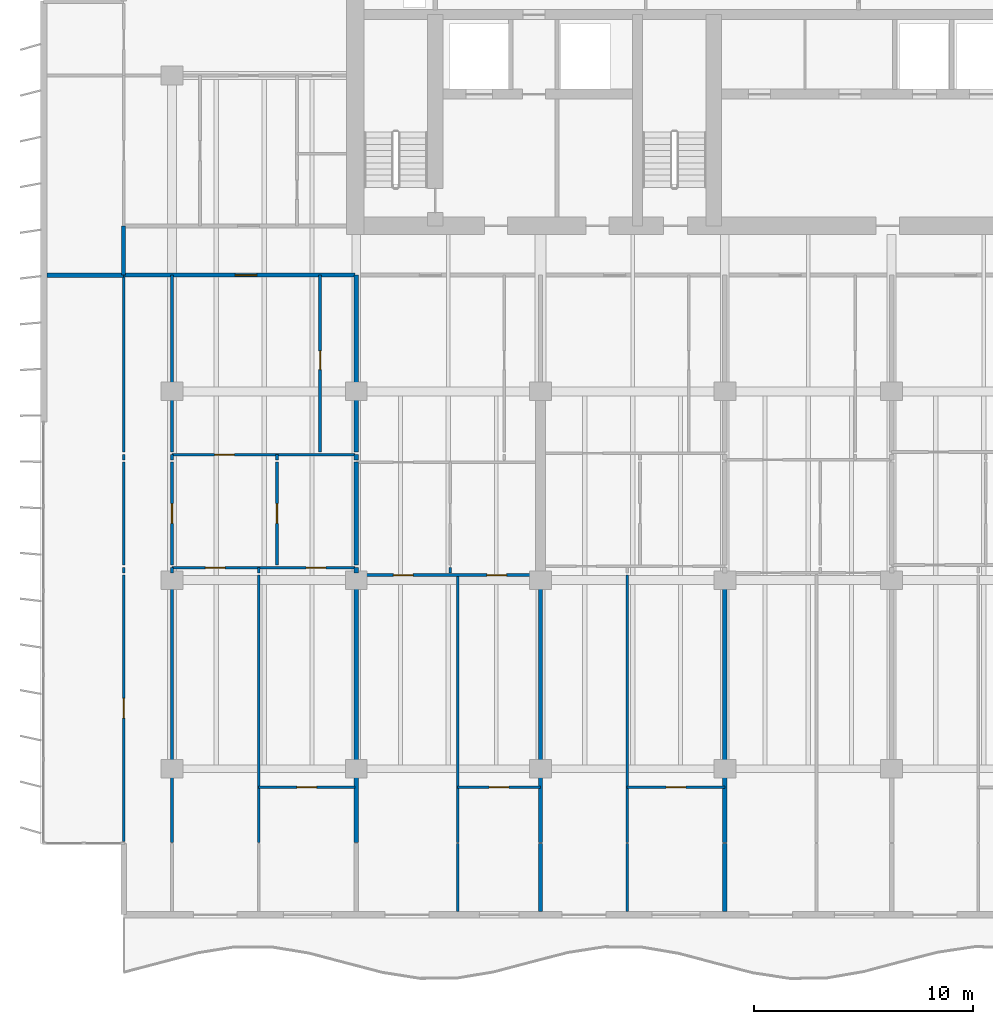
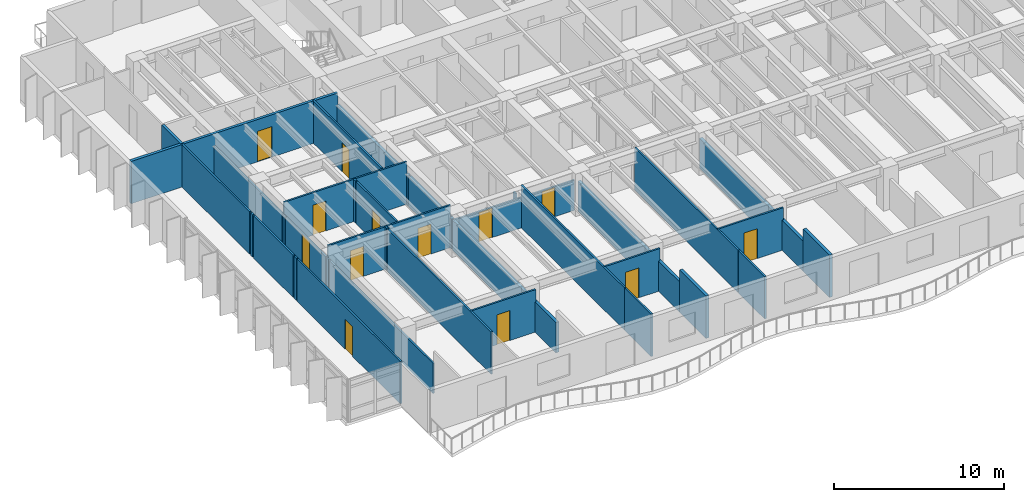
# One storey, part 6 of 18: 38 walls, 13 doors, 13 openings.
"""IFC4 building model written with IfcOpenShell, lengths in metres."""

import ifcopenshell
import ifcopenshell.guid

model = None  # the IFC model being written
_history = None  # IfcOwnerHistory: only IFC2X3 demands one
_inside = {}  # id of a spatial element -> (the spatial element, [elements in it])
_under = {}  # id of a project, library or spatial element -> (it, [spatial elements below it])
_declared = {}  # id of a project -> (the project, [libraries it declares])
_typed = {}  # id of a type object -> (the type object, [elements of that type])
_made_of = {}  # id of a material, layer set ... -> (it, [elements and type objects made of it])


def new_model(schema):
    """Start an empty IFC model of exactly this schema.

    Asked for "IFC4X3", IfcOpenShell would pick the latest addendum, in which some entities
    have other attributes; the version numbers below select the first issue.
    IFC2X3 requires an IfcOwnerHistory on every rooted entity: one is made here for all.
    """
    global model, _history
    if schema == "IFC4X3":
        model = ifcopenshell.file(schema_version=(4, 3, 0, 0))
    else:
        model = ifcopenshell.file(schema=schema)
    _inside.clear()
    _under.clear()
    _declared.clear()
    _typed.clear()
    _made_of.clear()
    _history = None
    if model.schema == "IFC2X3":
        org = make("IfcOrganization", Name="unknown")
        user = make(
            "IfcPersonAndOrganization",
            ThePerson=make("IfcPerson", FamilyName="unknown"),
            TheOrganization=org,
        )
        app = make(
            "IfcApplication",
            ApplicationDeveloper=org,
            Version="unknown",
            ApplicationFullName="unknown",
            ApplicationIdentifier="unknown",
        )
        _history = make(
            "IfcOwnerHistory",
            OwningUser=user,
            OwningApplication=app,
            ChangeAction="ADDED",
            CreationDate=0,
        )
    return model


def make(cls, **values):
    """One entity of the class cls with the attributes given. An attribute that is None is left unset."""
    return model.create_entity(
        cls, **{name: value for name, value in values.items() if value is not None}
    )


def rooted(cls, **values):
    """An entity with a GlobalId (a new one), such as an element, a storey or a relation."""
    return make(cls, GlobalId=ifcopenshell.guid.new(), OwnerHistory=_history, **values)


def si_unit(unit_type, name, prefix=None):
    """IfcSIUnit, for example si_unit("LENGTHUNIT", "METRE", prefix="MILLI")."""
    return make("IfcSIUnit", UnitType=unit_type, Prefix=prefix, Name=name)


def assignment(units):
    """IfcUnitAssignment: the units of a project."""
    return None if units is None else make("IfcUnitAssignment", Units=units)


def point(xyz):
    """IfcCartesianPoint."""
    return None if xyz is None else make("IfcCartesianPoint", Coordinates=xyz)


def direction(xyz):
    """IfcDirection."""
    return None if xyz is None else make("IfcDirection", DirectionRatios=xyz)


def frame(location, z_axis=None, x_axis=None):
    """IfcAxis2Placement3D, a coordinate frame: its origin and axes. An axis left out is left unset."""
    return make(
        "IfcAxis2Placement3D",
        Location=point(location),
        Axis=direction(z_axis),
        RefDirection=direction(x_axis),
    )


def frame_2d(location, x_axis=None):
    """IfcAxis2Placement2D, a coordinate frame in the plane: its origin and x axis."""
    return make(
        "IfcAxis2Placement2D", Location=point(location), RefDirection=direction(x_axis)
    )


def origin():
    """The frame at (0, 0, 0) with its axes left unset."""
    return frame((0.0, 0.0, 0.0))


def place(relative_to, where):
    """IfcLocalPlacement: puts the frame where relative to a parent placement (None: the world)."""
    return make(
        "IfcLocalPlacement", PlacementRelTo=relative_to, RelativePlacement=where
    )


def context(
    kind, dimensions, precision=None, world=None, true_north=None, identifier=None
):
    """IfcGeometricRepresentationContext, for example the 3D "Model" context."""
    return make(
        "IfcGeometricRepresentationContext",
        ContextIdentifier=identifier,
        ContextType=kind,
        CoordinateSpaceDimension=dimensions,
        Precision=precision,
        WorldCoordinateSystem=world,
        TrueNorth=true_north,
    )


def subcontext(parent, identifier, kind, view, scale=None):
    """IfcGeometricRepresentationSubContext, for example "Body" below "Model"."""
    return make(
        "IfcGeometricRepresentationSubContext",
        ContextIdentifier=identifier,
        ContextType=kind,
        ParentContext=parent,
        TargetScale=scale,
        TargetView=view,
    )


def project(units=None, contexts=None):
    """IfcProject with its units and contexts."""
    return rooted(
        "IfcProject",
        Name="project",
        RepresentationContexts=contexts,
        UnitsInContext=assignment(units),
    )


def spatial(cls, under=None, at=None, **own):
    """A site, building, storey or space (cls), placed at a placement, below another one or the project."""
    s = rooted(cls, ObjectPlacement=at, **own)
    if under is not None:
        _under.setdefault(under.id(), (under, []))[1].append(s)
    return s


def profile(cls, at=None, kind="AREA", **sizes):
    """A parametric profile (cls). Its sizes go by their IFC names, for example OverallWidth=200.0."""
    return make(cls, ProfileType=kind, Position=at, **sizes)


def rectangle(**sizes):
    """IfcRectangleProfileDef."""
    return profile("IfcRectangleProfileDef", **sizes)


def extrude(swept, where, along, depth):
    """IfcExtrudedAreaSolid: the profile swept, set in the frame where, extruded along a direction by depth."""
    return make(
        "IfcExtrudedAreaSolid",
        SweptArea=swept,
        Position=where,
        ExtrudedDirection=direction(along),
        Depth=depth,
    )


def shape(context_of_items, identifier, shape_type, items):
    """IfcShapeRepresentation: the items that make up one representation, for example the "Body"."""
    return make(
        "IfcShapeRepresentation",
        ContextOfItems=context_of_items,
        RepresentationIdentifier=identifier,
        RepresentationType=shape_type,
        Items=items,
    )


def material(Name=None, Category=None):
    """IfcMaterial."""
    return make("IfcMaterial", Name=Name, Category=Category)


def layer(
    of_material, thickness, ventilated=None, Name=None, Category=None, Priority=None
):
    """IfcMaterialLayer: one layer of a wall or slab, of a material (None: an air gap)."""
    return make(
        "IfcMaterialLayer",
        Material=of_material,
        LayerThickness=thickness,
        IsVentilated=ventilated,
        Name=Name,
        Category=Category,
        Priority=Priority,
    )


def layer_set(layers, Name=None):
    """IfcMaterialLayerSet."""
    return make("IfcMaterialLayerSet", MaterialLayers=layers, LayerSetName=Name)


def made_of(thing, what):
    """Note that an element or type object is made of a material, layer set ...; save() writes the relation."""
    if what is not None:
        _made_of.setdefault(what.id(), (what, []))[1].append(thing)
    return thing


def type_object(cls, material=None, **own):
    """A type object (cls), such as IfcWallType, which elements share."""
    return made_of(rooted(cls, **own), material)


def element(
    cls,
    number,
    at=None,
    inside=None,
    cuts=None,
    type_object=None,
    material=None,
    context=None,
    identifier="Body",
    shape_type=None,
    held_by="IfcProductDefinitionShape",
    body=None,
    shapes=None,
    **own,
):
    """One element of the class cls, such as IfcWall. Its Tag is "e" and its number.

    at: its placement. inside: the storey or other place that contains it. cuts: it is an
    opening in that element (IfcRelVoidsElement). A single representation is given by context,
    identifier, shape_type and body (its items); several are given by shapes. held_by: the class
    of the entity that holds the representations. save() writes the other relations.
    """
    e = rooted(cls, Tag="e%d" % number, ObjectPlacement=at, **own)
    if body is not None:
        shapes = [shape(context, identifier, shape_type, body)]
    if shapes is not None:
        e.Representation = make(held_by, Representations=shapes)
    if inside is not None:
        _inside.setdefault(inside.id(), (inside, []))[1].append(e)
    if cuts is not None:
        rooted(
            "IfcRelVoidsElement", RelatingBuildingElement=cuts, RelatedOpeningElement=e
        )
    if type_object is not None:
        _typed.setdefault(type_object.id(), (type_object, []))[1].append(e)
    return made_of(e, material)


def fill(opening, filler):
    """IfcRelFillsElement: the door or window that sits in an opening."""
    return rooted(
        "IfcRelFillsElement",
        RelatingOpeningElement=opening,
        RelatedBuildingElement=filler,
    )


def aggregate(whole, parts):
    """IfcRelAggregates: a whole, such as a stair, and the parts it consists of."""
    return rooted("IfcRelAggregates", RelatingObject=whole, RelatedObjects=parts)


def save(model, path):
    """Write the relations noted so far, then the file.

    IfcRelAggregates (storeys below a building ...), IfcRelContainedInSpatialStructure (elements
    in a storey), IfcRelDefinesByType, IfcRelAssociatesMaterial and IfcRelDeclares: one each for
    every whole, place, type object, material and project.
    """
    for whole, parts in _under.values():
        aggregate(whole, parts)
    for where, things in _inside.values():
        rooted(
            "IfcRelContainedInSpatialStructure",
            RelatedElements=things,
            RelatingStructure=where,
        )
    for kind, things in _typed.values():
        rooted("IfcRelDefinesByType", RelatedObjects=things, RelatingType=kind)
    for what, things in _made_of.values():
        rooted("IfcRelAssociatesMaterial", RelatedObjects=things, RelatingMaterial=what)
    for by, libraries in _declared.values():
        rooted("IfcRelDeclares", RelatingContext=by, RelatedDefinitions=libraries)
    model.write(path)


model = new_model("IFC4")

# Units and contexts
model_context = context("Model", 3, precision=1e-05, world=origin(), true_north=direction((0.0, 1.0)))
body_context = subcontext(model_context, "Body", "Model", "MODEL_VIEW")
ifc_project = project(units=[si_unit("LENGTHUNIT", "METRE"), si_unit("AREAUNIT", "SQUARE_METRE"), si_unit("VOLUMEUNIT", "CUBIC_METRE"), si_unit("PLANEANGLEUNIT", "RADIAN"), si_unit("MASSUNIT", "GRAM", prefix="KILO")], contexts=[model_context])

# Site, building, storey
site_placement = place(None, origin())
site = spatial("IfcSite", under=ifc_project, at=site_placement, CompositionType="ELEMENT")
building_placement = place(site_placement, origin())
building = spatial("IfcBuilding", under=site, at=building_placement, Name="Caelmar Bay Residences", CompositionType="ELEMENT")
storey_placement = place(building_placement, frame((0.0, 0.0, 122.39990234375)))
storey = spatial("IfcBuildingStorey", under=building, at=storey_placement, Name="L33", CompositionType="ELEMENT", Elevation=122.39990234375)

# Wall
ifc_material_1 = material(Name="Double-stud acoustic fire-rated gypsum partition 180 mm")
ifc_layer_1 = layer(ifc_material_1, 0.179931640625)
ifc_layer_set_1 = layer_set([ifc_layer_1], Name="Double-stud acoustic fire-rated gypsum partition 180 mm")
wall_type_1 = type_object("IfcWallType", Name="W-COR-200", PredefinedType="PARTITIONING", material=ifc_layer_set_1)
wall_1_placement = place(storey_placement, frame((7.699951171875, 34.705078125, 0.0), z_axis=(0.0, 0.0, 1.0), x_axis=(0.0, 1.0, 0.0)))
element("IfcWall", 1, at=wall_1_placement, inside=storey, type_object=wall_type_1, Name="L33 Partition Wall V006", PredefinedType="PARTITIONING", context=body_context, shape_type="SweptSolid", body=[
    extrude(rectangle(XDim=2.244873046875, YDim=0.179931640625, at=frame_2d((1.12255859375, 0.0))), origin(), (0.0, 0.0, 1.0), 3.050048828125),
])

# Wall, opening, door
wall_2_placement = place(storey_placement, frame((7.705078125, 34.699951171875, 0.0), z_axis=(0.0, 0.0, 1.0), x_axis=(1.0, 0.0, 0.0)))
wall_2 = element("IfcWall", 2, at=wall_2_placement, inside=storey, type_object=wall_type_1, Name="L33 Partition Wall H142", PredefinedType="PARTITIONING", context=body_context, shape_type="SweptSolid", body=[
    extrude(rectangle(XDim=10.544921875, YDim=0.179931640625, at=frame_2d((5.2724609375, 0.0))), origin(), (0.0, 0.0, 1.0), 3.050048828125),
])
opening_1_placement = place(wall_2_placement, frame((5.070068359375, 0.0, 0.0)))
opening_1 = element("IfcOpeningElement", 3, at=opening_1_placement, cuts=wall_2, Name="Opening D-L33-122", PredefinedType="OPENING", context=body_context, shape_type="SweptSolid", body=[
    extrude(rectangle(XDim=1.0, YDim=2.199951171875, at=frame_2d((0.5, 1.10009765625))), frame((0.0, 0.099853515625, 0.0), z_axis=(0.0, -1.0, 0.0), x_axis=(1.0, 0.0, 0.0)), (0.0, 0.0, 1.0), 0.199951171875),
])
ifc_material_2 = material(Name="Fire-rated steel and walnut architectural door assembly", Category="steel")
ifc_layer_2 = layer(ifc_material_2, 0.050048828125)
ifc_layer_set_2 = layer_set([ifc_layer_2], Name="Fire-rated steel and walnut architectural door assembly")
door_type_1 = type_object("IfcDoorType", Name="D-UNIT-1000", OperationType="NOTDEFINED", PredefinedType="DOOR", material=ifc_layer_set_2)
door_1_placement = place(opening_1_placement, origin())
door_1 = element("IfcDoor", 4, at=door_1_placement, inside=storey, type_object=door_type_1, Name="L33 Residence 01 Apartment Hall Door", OperationType="SINGLE_SWING_RIGHT", OverallHeight=2.199951171875, OverallWidth=1.0, PredefinedType="DOOR", context=body_context, shape_type="SweptSolid", body=[
    extrude(rectangle(XDim=1.0, YDim=2.199951171875, at=frame_2d((0.5, 1.10009765625))), frame((0.0, 0.02490234375, 0.0), z_axis=(0.0, -1.0, 0.0), x_axis=(1.0, 0.0, 0.0)), (0.0, 0.0, 1.0), 0.050048828125),
])
fill(opening_1, door_1)

ifc_material_3 = material(Name="Acoustic metal-stud gypsum partition 120 mm")
ifc_layer_3 = layer(ifc_material_3, 0.1201171875)
ifc_layer_set_3 = layer_set([ifc_layer_3], Name="Acoustic metal-stud gypsum partition 120 mm")
wall_type_2 = type_object("IfcWallType", Name="W-PRT-120", PredefinedType="PARTITIONING", material=ifc_layer_set_3)
wall_3_placement = place(storey_placement, frame((7.699951171875, 8.885009765625, 0.0), z_axis=(0.0, 0.0, 1.0), x_axis=(0.0, 1.0, 0.0)))
wall_3 = element("IfcWall", 5, at=wall_3_placement, inside=storey, type_object=wall_type_2, Name="L33 Partition Wall V001", PredefinedType="PARTITIONING", context=body_context, shape_type="SweptSolid", body=[
    extrude(rectangle(XDim=12.14501953125, YDim=0.1201171875, at=frame_2d((6.072509765625, 0.0))), origin(), (0.0, 0.0, 1.0), 3.050048828125),
])
opening_2_placement = place(wall_3_placement, frame((5.62255859375, 0.0, 0.0)))
opening_2 = element("IfcOpeningElement", 6, at=opening_2_placement, cuts=wall_3, Name="Opening D-L33-172", PredefinedType="OPENING", context=body_context, shape_type="SweptSolid", body=[
    extrude(rectangle(XDim=0.89990234375, YDim=2.14990234375, at=frame_2d((0.449951171875, 1.074951171875))), frame((0.0, 0.070068359375, 0.0), z_axis=(0.0, -1.0, 0.0), x_axis=(1.0, 0.0, 0.0)), (0.0, 0.0, 1.0), 0.14013671875),
])
ifc_material_4 = material(Name="Solid walnut timber interior door leaf and frame", Category="wood")
ifc_layer_4 = layer(ifc_material_4, 0.050048828125)
ifc_layer_set_4 = layer_set([ifc_layer_4], Name="Solid walnut timber interior door leaf and frame")
door_type_2 = type_object("IfcDoorType", Name="D-ROOM-900", OperationType="NOTDEFINED", PredefinedType="DOOR", material=ifc_layer_set_4)
door_2_placement = place(opening_2_placement, origin())
door_2 = element("IfcDoor", 7, at=door_2_placement, inside=storey, type_object=door_type_2, Name="L33 Residence 01 Penthouse West Salon Door", OperationType="SINGLE_SWING_RIGHT", OverallHeight=2.14990234375, OverallWidth=0.89990234375, PredefinedType="DOOR", context=body_context, shape_type="SweptSolid", body=[
    extrude(rectangle(XDim=0.89990234375, YDim=2.14990234375, at=frame_2d((0.449951171875, 1.074951171875))), frame((0.0, 0.02490234375, 0.0), z_axis=(0.0, -1.0, 0.0), x_axis=(1.0, 0.0, 0.0)), (0.0, 0.0, 1.0), 0.050048828125),
])
fill(opening_2, door_2)

# Walls
wall_4_placement = place(storey_placement, frame((7.699951171875, 21.1298828125, 0.0), z_axis=(0.0, 0.0, 1.0), x_axis=(0.0, 1.0, 0.0)))
element("IfcWall", 8, at=wall_4_placement, inside=storey, type_object=wall_type_2, Name="L33 Partition Wall V002", PredefinedType="PARTITIONING", context=body_context, shape_type="SweptSolid", body=[
    extrude(rectangle(XDim=0.240234375, YDim=0.1201171875, at=frame_2d((0.1201171875, 0.0))), origin(), (0.0, 0.0, 1.0), 3.050048828125),
])
wall_5_placement = place(storey_placement, frame((7.699951171875, 21.489990234375, 0.0), z_axis=(0.0, 0.0, 1.0), x_axis=(0.0, 1.0, 0.0)))
element("IfcWall", 9, at=wall_5_placement, inside=storey, type_object=wall_type_2, Name="L33 Partition Wall V003", PredefinedType="PARTITIONING", context=body_context, shape_type="SweptSolid", body=[
    extrude(rectangle(XDim=4.68994140625, YDim=0.1201171875, at=frame_2d((2.344970703125, 0.0))), origin(), (0.0, 0.0, 1.0), 3.050048828125),
])
wall_6_placement = place(storey_placement, frame((7.699951171875, 26.280029296875, 0.0), z_axis=(0.0, 0.0, 1.0), x_axis=(0.0, 1.0, 0.0)))
element("IfcWall", 10, at=wall_6_placement, inside=storey, type_object=wall_type_2, Name="L33 Partition Wall V004", PredefinedType="PARTITIONING", context=body_context, shape_type="SweptSolid", body=[
    extrude(rectangle(XDim=0.239990234375, YDim=0.1201171875, at=frame_2d((0.1201171875, 0.0))), origin(), (0.0, 0.0, 1.0), 3.050048828125),
])
wall_7_placement = place(storey_placement, frame((7.699951171875, 26.639892578125, 0.0), z_axis=(0.0, 0.0, 1.0), x_axis=(0.0, 1.0, 0.0)))
element("IfcWall", 11, at=wall_7_placement, inside=storey, type_object=wall_type_2, Name="L33 Partition Wall V005", PredefinedType="PARTITIONING", context=body_context, shape_type="SweptSolid", body=[
    extrude(rectangle(XDim=8.06005859375, YDim=0.1201171875, at=frame_2d((4.030029296875, 0.0))), origin(), (0.0, 0.0, 1.0), 3.050048828125),
])
wall_8_placement = place(storey_placement, frame((9.89990234375, 8.840087890625, 0.0), z_axis=(0.0, 0.0, 1.0), x_axis=(0.0, 1.0, 0.0)))
element("IfcWall", 12, at=wall_8_placement, inside=storey, type_object=wall_type_2, Name="L33 Partition Wall V010", PredefinedType="PARTITIONING", context=body_context, shape_type="SweptSolid", body=[
    extrude(rectangle(XDim=12.18994140625, YDim=0.1201171875, at=frame_2d((6.094970703125, 0.0))), origin(), (0.0, 0.0, 1.0), 2.174072265625),
])
wall_9_placement = place(storey_placement, frame((9.89990234375, 21.1298828125, 0.0), z_axis=(0.0, 0.0, 1.0), x_axis=(0.0, 1.0, 0.0)))
element("IfcWall", 13, at=wall_9_placement, inside=storey, type_object=wall_type_2, Name="L33 Partition Wall V011", PredefinedType="PARTITIONING", context=body_context, shape_type="SweptSolid", body=[
    extrude(rectangle(XDim=0.240234375, YDim=0.1201171875, at=frame_2d((0.1201171875, 0.0))), origin(), (0.0, 0.0, 1.0), 2.174072265625),
])

# Wall, opening, door
wall_10_placement = place(storey_placement, frame((9.89990234375, 21.489990234375, 0.0), z_axis=(0.0, 0.0, 1.0), x_axis=(0.0, 1.0, 0.0)))
wall_10 = element("IfcWall", 14, at=wall_10_placement, inside=storey, type_object=wall_type_2, Name="L33 Partition Wall V012", PredefinedType="PARTITIONING", context=body_context, shape_type="SweptSolid", body=[
    extrude(rectangle(XDim=4.68994140625, YDim=0.1201171875, at=frame_2d((2.344970703125, 0.0))), origin(), (0.0, 0.0, 1.0), 2.174072265625),
])
opening_3_placement = place(wall_10_placement, frame((1.89501953125, 0.0, 0.0)))
opening_3 = element("IfcOpeningElement", 15, at=opening_3_placement, cuts=wall_10, Name="Opening D-L33-129", PredefinedType="OPENING", context=body_context, shape_type="SweptSolid", body=[
    extrude(rectangle(XDim=0.89990234375, YDim=2.1240234375, at=frame_2d((0.449951171875, 1.06201171875))), frame((0.0, 0.070068359375, 0.0), z_axis=(0.0, -1.0, 0.0), x_axis=(1.0, 0.0, 0.0)), (0.0, 0.0, 1.0), 0.14013671875),
])
door_3_placement = place(opening_3_placement, origin())
door_3 = element("IfcDoor", 16, at=door_3_placement, inside=storey, type_object=door_type_2, Name="L33 Residence 01 West Apartment Hall Door", OperationType="SINGLE_SWING_LEFT", OverallHeight=2.1240234375, OverallWidth=0.89990234375, PredefinedType="DOOR", context=body_context, shape_type="SweptSolid", body=[
    extrude(rectangle(XDim=0.89990234375, YDim=2.1240234375, at=frame_2d((0.449951171875, 1.06201171875))), frame((0.0, 0.02490234375, 0.0), z_axis=(0.0, -1.0, 0.0), x_axis=(1.0, 0.0, 0.0)), (0.0, 0.0, 1.0), 0.050048828125),
])
fill(opening_3, door_3)

# Walls
wall_11_placement = place(storey_placement, frame((9.89990234375, 26.280029296875, 0.0), z_axis=(0.0, 0.0, 1.0), x_axis=(0.0, 1.0, 0.0)))
element("IfcWall", 17, at=wall_11_placement, inside=storey, type_object=wall_type_2, Name="L33 Partition Wall V013", PredefinedType="PARTITIONING", context=body_context, shape_type="SweptSolid", body=[
    extrude(rectangle(XDim=0.239990234375, YDim=0.1201171875, at=frame_2d((0.1201171875, 0.0))), origin(), (0.0, 0.0, 1.0), 2.174072265625),
])
wall_12_placement = place(storey_placement, frame((9.89990234375, 26.639892578125, 0.0), z_axis=(0.0, 0.0, 1.0), x_axis=(0.0, 1.0, 0.0)))
element("IfcWall", 18, at=wall_12_placement, inside=storey, type_object=wall_type_2, Name="L33 Partition Wall V014", PredefinedType="PARTITIONING", context=body_context, shape_type="SweptSolid", body=[
    extrude(rectangle(XDim=8.06005859375, YDim=0.1201171875, at=frame_2d((4.030029296875, 0.0))), origin(), (0.0, 0.0, 1.0), 2.174072265625),
])
wall_13_placement = place(storey_placement, frame((13.847900390625, 8.840087890625, 0.0), z_axis=(0.0, 0.0, 1.0), x_axis=(0.0, 1.0, 0.0)))
element("IfcWall", 19, at=wall_13_placement, inside=storey, type_object=wall_type_2, Name="L33 Partition Wall V017", PredefinedType="PARTITIONING", context=body_context, shape_type="SweptSolid", body=[
    extrude(rectangle(XDim=12.18994140625, YDim=0.1201171875, at=frame_2d((6.094970703125, 0.0))), origin(), (0.0, 0.0, 1.0), 3.050048828125),
])
wall_14_placement = place(storey_placement, frame((13.847900390625, 21.1298828125, 0.0), z_axis=(0.0, 0.0, 1.0), x_axis=(0.0, 1.0, 0.0)))
element("IfcWall", 20, at=wall_14_placement, inside=storey, type_object=wall_type_2, Name="L33 Partition Wall V018", PredefinedType="PARTITIONING", context=body_context, shape_type="SweptSolid", body=[
    extrude(rectangle(XDim=0.240234375, YDim=0.1201171875, at=frame_2d((0.1201171875, 0.0))), origin(), (0.0, 0.0, 1.0), 3.050048828125),
])

# Wall, opening, door
wall_15_placement = place(storey_placement, frame((14.68603515625, 21.489990234375, 0.0), z_axis=(0.0, 0.0, 1.0), x_axis=(0.0, 1.0, 0.0)))
wall_15 = element("IfcWall", 21, at=wall_15_placement, inside=storey, type_object=wall_type_2, Name="L33 Partition Wall V019", PredefinedType="PARTITIONING", context=body_context, shape_type="SweptSolid", body=[
    extrude(rectangle(XDim=4.68994140625, YDim=0.1201171875, at=frame_2d((2.344970703125, 0.0))), origin(), (0.0, 0.0, 1.0), 3.050048828125),
])
opening_4_placement = place(wall_15_placement, frame((1.89501953125, 0.0, 0.0)))
opening_4 = element("IfcOpeningElement", 22, at=opening_4_placement, cuts=wall_15, Name="Opening D-L33-125", PredefinedType="OPENING", context=body_context, shape_type="SweptSolid", body=[
    extrude(rectangle(XDim=0.89990234375, YDim=2.14990234375, at=frame_2d((0.449951171875, 1.074951171875))), frame((0.0, 0.070068359375, 0.0), z_axis=(0.0, -1.0, 0.0), x_axis=(1.0, 0.0, 0.0)), (0.0, 0.0, 1.0), 0.14013671875),
])
door_4_placement = place(opening_4_placement, origin())
door_4 = element("IfcDoor", 23, at=door_4_placement, inside=storey, type_object=door_type_2, Name="L33 Residence 01 Study Door", OperationType="SINGLE_SWING_LEFT", OverallHeight=2.14990234375, OverallWidth=0.89990234375, PredefinedType="DOOR", context=body_context, shape_type="SweptSolid", body=[
    extrude(rectangle(XDim=0.89990234375, YDim=2.14990234375, at=frame_2d((0.449951171875, 1.074951171875))), frame((0.0, 0.02490234375, 0.0), z_axis=(0.0, -1.0, 0.0), x_axis=(1.0, 0.0, 0.0)), (0.0, 0.0, 1.0), 0.050048828125),
])
fill(opening_4, door_4)

# Wall
wall_16_placement = place(storey_placement, frame((14.68603515625, 26.280029296875, 0.0), z_axis=(0.0, 0.0, 1.0), x_axis=(0.0, 1.0, 0.0)))
element("IfcWall", 24, at=wall_16_placement, inside=storey, type_object=wall_type_2, Name="L33 Partition Wall V020", PredefinedType="PARTITIONING", context=body_context, shape_type="SweptSolid", body=[
    extrude(rectangle(XDim=0.239990234375, YDim=0.1201171875, at=frame_2d((0.1201171875, 0.0))), origin(), (0.0, 0.0, 1.0), 3.050048828125),
])

# Wall, opening, door
wall_17_placement = place(storey_placement, frame((16.64990234375, 26.639892578125, 0.0), z_axis=(0.0, 0.0, 1.0), x_axis=(0.0, 1.0, 0.0)))
wall_17 = element("IfcWall", 25, at=wall_17_placement, inside=storey, type_object=wall_type_2, Name="L33 Partition Wall V022", PredefinedType="PARTITIONING", context=body_context, shape_type="SweptSolid", body=[
    extrude(rectangle(XDim=8.06005859375, YDim=0.1201171875, at=frame_2d((4.030029296875, 0.0))), origin(), (0.0, 0.0, 1.0), 3.050048828125),
])
opening_5_placement = place(wall_17_placement, frame((3.7548828125, 0.0, 0.0)))
opening_5 = element("IfcOpeningElement", 26, at=opening_5_placement, cuts=wall_17, Name="Opening D-L33-123", PredefinedType="OPENING", context=body_context, shape_type="SweptSolid", body=[
    extrude(rectangle(XDim=0.85009765625, YDim=2.10009765625, at=frame_2d((0.425048828125, 1.050048828125))), frame((0.0, 0.070068359375, 0.0), z_axis=(0.0, -1.0, 0.0), x_axis=(1.0, 0.0, 0.0)), (0.0, 0.0, 1.0), 0.14013671875),
])
ifc_layer_5 = layer(ifc_material_4, 0.050048828125)
ifc_layer_set_5 = layer_set([ifc_layer_5], Name="Solid walnut timber interior door leaf and frame")
door_type_3 = type_object("IfcDoorType", Name="D-BATH-850", OperationType="NOTDEFINED", PredefinedType="DOOR", material=ifc_layer_set_5)
door_5_placement = place(opening_5_placement, origin())
door_5 = element("IfcDoor", 27, at=door_5_placement, inside=storey, type_object=door_type_3, Name="L33 Residence 01 Bathroom Door", OperationType="SINGLE_SWING_LEFT", OverallHeight=2.10009765625, OverallWidth=0.85009765625, PredefinedType="DOOR", context=body_context, shape_type="SweptSolid", body=[
    extrude(rectangle(XDim=0.85009765625, YDim=2.10009765625, at=frame_2d((0.425048828125, 1.050048828125))), frame((0.0, 0.02490234375, 0.0), z_axis=(0.0, -1.0, 0.0), x_axis=(1.0, 0.0, 0.0)), (0.0, 0.0, 1.0), 0.050048828125),
])
fill(opening_5, door_5)

# Walls
wall_18_placement = place(storey_placement, frame((22.5859375, 21.1298828125, 0.0), z_axis=(0.0, 0.0, 1.0), x_axis=(0.0, 1.0, 0.0)))
element("IfcWall", 28, at=wall_18_placement, inside=storey, type_object=wall_type_2, Name="L33 Partition Wall V030", PredefinedType="PARTITIONING", context=body_context, shape_type="SweptSolid", body=[
    extrude(rectangle(XDim=0.240234375, YDim=0.1201171875, at=frame_2d((0.1201171875, 0.0))), origin(), (0.0, 0.0, 1.0), 2.486083984375),
])
wall_19_placement = place(storey_placement, frame((22.919921875, 5.695068359375, 0.0), z_axis=(0.0, 0.0, 1.0), x_axis=(0.0, 1.0, 0.0)))
element("IfcWall", 29, at=wall_19_placement, inside=storey, type_object=wall_type_2, Name="L33 Partition Wall V032", PredefinedType="PARTITIONING", context=body_context, shape_type="SweptSolid", body=[
    extrude(rectangle(XDim=3.10498046875, YDim=0.1201171875, at=frame_2d((1.552490234375, 0.0))), origin(), (0.0, 0.0, 1.0), 3.050048828125),
])
wall_20_placement = place(storey_placement, frame((22.919921875, 8.840087890625, 0.0), z_axis=(0.0, 0.0, 1.0), x_axis=(0.0, 1.0, 0.0)))
element("IfcWall", 30, at=wall_20_placement, inside=storey, type_object=wall_type_2, Name="L33 Partition Wall V033", PredefinedType="PARTITIONING", context=body_context, shape_type="SweptSolid", body=[
    extrude(rectangle(XDim=12.18994140625, YDim=0.1201171875, at=frame_2d((6.094970703125, 0.0))), origin(), (0.0, 0.0, 1.0), 3.050048828125),
])
wall_21_placement = place(storey_placement, frame((30.64794921875, 5.695068359375, 0.0), z_axis=(0.0, 0.0, 1.0), x_axis=(0.0, 1.0, 0.0)))
element("IfcWall", 31, at=wall_21_placement, inside=storey, type_object=wall_type_2, Name="L33 Partition Wall V042", PredefinedType="PARTITIONING", context=body_context, shape_type="SweptSolid", body=[
    extrude(rectangle(XDim=3.10498046875, YDim=0.1201171875, at=frame_2d((1.552490234375, 0.0))), origin(), (0.0, 0.0, 1.0), 3.050048828125),
])
wall_22_placement = place(storey_placement, frame((30.64794921875, 8.840087890625, 0.0), z_axis=(0.0, 0.0, 1.0), x_axis=(0.0, 1.0, 0.0)))
element("IfcWall", 32, at=wall_22_placement, inside=storey, type_object=wall_type_2, Name="L33 Partition Wall V043", PredefinedType="PARTITIONING", context=body_context, shape_type="SweptSolid", body=[
    extrude(rectangle(XDim=12.18994140625, YDim=0.1201171875, at=frame_2d((6.094970703125, 0.0))), origin(), (0.0, 0.0, 1.0), 3.050048828125),
])

# Wall, opening, door
wall_23_placement = place(storey_placement, frame((13.847900390625, 11.35009765625, 0.0), z_axis=(0.0, 0.0, 1.0), x_axis=(1.0, 0.0, 0.0)))
wall_23 = element("IfcWall", 33, at=wall_23_placement, inside=storey, type_object=wall_type_2, Name="L33 Partition Wall H121", PredefinedType="PARTITIONING", context=body_context, shape_type="SweptSolid", body=[
    extrude(rectangle(XDim=4.402099609375, YDim=0.1201171875, at=frame_2d((2.201171875, 0.0))), origin(), (0.0, 0.0, 1.0), 3.050048828125),
])
opening_6_placement = place(wall_23_placement, frame((1.7509765625, 0.0, 0.0)))
opening_6 = element("IfcOpeningElement", 34, at=opening_6_placement, cuts=wall_23, Name="Opening D-L33-128", PredefinedType="OPENING", context=body_context, shape_type="SweptSolid", body=[
    extrude(rectangle(XDim=0.89990234375, YDim=2.14990234375, at=frame_2d((0.449951171875, 1.074951171875))), frame((0.0, 0.070068359375, 0.0), z_axis=(0.0, -1.0, 0.0), x_axis=(1.0, 0.0, 0.0)), (0.0, 0.0, 1.0), 0.14013671875),
])
door_6_placement = place(opening_6_placement, origin())
door_6 = element("IfcDoor", 35, at=door_6_placement, inside=storey, type_object=door_type_2, Name="L33 Residence 01 Primary Bedroom Door", OperationType="SINGLE_SWING_RIGHT", OverallHeight=2.14990234375, OverallWidth=0.89990234375, PredefinedType="DOOR", context=body_context, shape_type="SweptSolid", body=[
    extrude(rectangle(XDim=0.89990234375, YDim=2.14990234375, at=frame_2d((0.449951171875, 1.074951171875))), frame((0.0, 0.02490234375, 0.0), z_axis=(0.0, -1.0, 0.0), x_axis=(1.0, 0.0, 0.0)), (0.0, 0.0, 1.0), 0.050048828125),
])
fill(opening_6, door_6)

wall_24_placement = place(storey_placement, frame((22.919921875, 11.35009765625, 0.0), z_axis=(0.0, 0.0, 1.0), x_axis=(1.0, 0.0, 0.0)))
wall_24 = element("IfcWall", 36, at=wall_24_placement, inside=storey, type_object=wall_type_2, Name="L33 Partition Wall H122", PredefinedType="PARTITIONING", context=body_context, shape_type="SweptSolid", body=[
    extrude(rectangle(XDim=3.780029296875, YDim=0.1201171875, at=frame_2d((1.89013671875, 0.0))), origin(), (0.0, 0.0, 1.0), 3.050048828125),
])
opening_7_placement = place(wall_24_placement, frame((1.43994140625, 0.0, 0.0)))
opening_7 = element("IfcOpeningElement", 37, at=opening_7_placement, cuts=wall_24, Name="Opening D-L33-136", PredefinedType="OPENING", context=body_context, shape_type="SweptSolid", body=[
    extrude(rectangle(XDim=0.89990234375, YDim=2.14990234375, at=frame_2d((0.449951171875, 1.074951171875))), frame((0.0, 0.070068359375, 0.0), z_axis=(0.0, -1.0, 0.0), x_axis=(1.0, 0.0, 0.0)), (0.0, 0.0, 1.0), 0.14013671875),
])
door_7_placement = place(opening_7_placement, origin())
door_7 = element("IfcDoor", 38, at=door_7_placement, inside=storey, type_object=door_type_2, Name="L33 Residence 02 Primary Bedroom Door", OperationType="SINGLE_SWING_RIGHT", OverallHeight=2.14990234375, OverallWidth=0.89990234375, PredefinedType="DOOR", context=body_context, shape_type="SweptSolid", body=[
    extrude(rectangle(XDim=0.89990234375, YDim=2.14990234375, at=frame_2d((0.449951171875, 1.074951171875))), frame((0.0, 0.02490234375, 0.0), z_axis=(0.0, -1.0, 0.0), x_axis=(1.0, 0.0, 0.0)), (0.0, 0.0, 1.0), 0.050048828125),
])
fill(opening_7, door_7)

wall_25_placement = place(storey_placement, frame((30.64794921875, 11.35009765625, 0.0), z_axis=(0.0, 0.0, 1.0), x_axis=(1.0, 0.0, 0.0)))
wall_25 = element("IfcWall", 39, at=wall_25_placement, inside=storey, type_object=wall_type_2, Name="L33 Partition Wall H123", PredefinedType="PARTITIONING", context=body_context, shape_type="SweptSolid", body=[
    extrude(rectangle(XDim=4.4521484375, YDim=0.1201171875, at=frame_2d((2.22607421875, 0.0))), origin(), (0.0, 0.0, 1.0), 3.050048828125),
])
opening_8_placement = place(wall_25_placement, frame((1.77587890625, 0.0, 0.0)))
opening_8 = element("IfcOpeningElement", 40, at=opening_8_placement, cuts=wall_25, Name="Opening D-L33-143", PredefinedType="OPENING", context=body_context, shape_type="SweptSolid", body=[
    extrude(rectangle(XDim=0.89990234375, YDim=2.14990234375, at=frame_2d((0.449951171875, 1.074951171875))), frame((0.0, 0.070068359375, 0.0), z_axis=(0.0, -1.0, 0.0), x_axis=(1.0, 0.0, 0.0)), (0.0, 0.0, 1.0), 0.14013671875),
])
door_8_placement = place(opening_8_placement, origin())
door_8 = element("IfcDoor", 41, at=door_8_placement, inside=storey, type_object=door_type_2, Name="L33 Residence 03 Primary Bedroom Door", OperationType="SINGLE_SWING_LEFT", OverallHeight=2.14990234375, OverallWidth=0.89990234375, PredefinedType="DOOR", context=body_context, shape_type="SweptSolid", body=[
    extrude(rectangle(XDim=0.89990234375, YDim=2.14990234375, at=frame_2d((0.449951171875, 1.074951171875))), frame((0.0, 0.02490234375, 0.0), z_axis=(0.0, -1.0, 0.0), x_axis=(1.0, 0.0, 0.0)), (0.0, 0.0, 1.0), 0.050048828125),
])
fill(opening_8, door_8)

# Wall, openings, doors
wall_26_placement = place(storey_placement, frame((18.300048828125, 21.030029296875, 0.0), z_axis=(0.0, 0.0, 1.0), x_axis=(1.0, 0.0, 0.0)))
wall_26 = element("IfcWall", 42, at=wall_26_placement, inside=storey, type_object=wall_type_2, Name="L33 Partition Wall H127", PredefinedType="PARTITIONING", context=body_context, shape_type="SweptSolid", body=[
    extrude(rectangle(XDim=8.179931640625, YDim=0.1201171875, at=frame_2d((4.08984375, 0.0))), origin(), (0.0, 0.0, 1.0), 2.174072265625),
])
opening_9_placement = place(wall_26_placement, frame((1.693115234375, 0.0, 0.0)))
opening_9 = element("IfcOpeningElement", 43, at=opening_9_placement, cuts=wall_26, Name="Opening D-L33-134", PredefinedType="OPENING", context=body_context, shape_type="SweptSolid", body=[
    extrude(rectangle(XDim=0.89990234375, YDim=2.1240234375, at=frame_2d((0.449951171875, 1.06201171875))), frame((0.0, 0.070068359375, 0.0), z_axis=(0.0, -1.0, 0.0), x_axis=(1.0, 0.0, 0.0)), (0.0, 0.0, 1.0), 0.14013671875),
])
opening_10_placement = place(wall_26_placement, frame((5.949951171875, 0.0, 0.0)))
opening_10 = element("IfcOpeningElement", 44, at=opening_10_placement, cuts=wall_26, Name="Opening D-L33-135", PredefinedType="OPENING", context=body_context, shape_type="SweptSolid", body=[
    extrude(rectangle(XDim=0.89990234375, YDim=2.1240234375, at=frame_2d((0.449951171875, 1.06201171875))), frame((0.0, 0.070068359375, 0.0), z_axis=(0.0, -1.0, 0.0), x_axis=(1.0, 0.0, 0.0)), (0.0, 0.0, 1.0), 0.14013671875),
])
door_9_placement = place(opening_9_placement, origin())
door_9 = element("IfcDoor", 45, at=door_9_placement, inside=storey, type_object=door_type_2, Name="L33 Residence 02 Living Room Door", OperationType="SINGLE_SWING_RIGHT", OverallHeight=2.1240234375, OverallWidth=0.89990234375, PredefinedType="DOOR", context=body_context, shape_type="SweptSolid", body=[
    extrude(rectangle(XDim=0.89990234375, YDim=2.1240234375, at=frame_2d((0.449951171875, 1.06201171875))), frame((0.0, 0.02490234375, 0.0), z_axis=(0.0, -1.0, 0.0), x_axis=(1.0, 0.0, 0.0)), (0.0, 0.0, 1.0), 0.050048828125),
])
fill(opening_9, door_9)
door_10_placement = place(opening_10_placement, origin())
door_10 = element("IfcDoor", 46, at=door_10_placement, inside=storey, type_object=door_type_2, Name="L33 Residence 02 Bedroom 2 Door", OperationType="SINGLE_SWING_LEFT", OverallHeight=2.1240234375, OverallWidth=0.89990234375, PredefinedType="DOOR", context=body_context, shape_type="SweptSolid", body=[
    extrude(rectangle(XDim=0.89990234375, YDim=2.1240234375, at=frame_2d((0.449951171875, 1.06201171875))), frame((0.0, 0.02490234375, 0.0), z_axis=(0.0, -1.0, 0.0), x_axis=(1.0, 0.0, 0.0)), (0.0, 0.0, 1.0), 0.050048828125),
])
fill(opening_10, door_10)

wall_27_placement = place(storey_placement, frame((9.89990234375, 21.3701171875, 0.0), z_axis=(0.0, 0.0, 1.0), x_axis=(1.0, 0.0, 0.0)))
wall_27 = element("IfcWall", 47, at=wall_27_placement, inside=storey, type_object=wall_type_2, Name="L33 Partition Wall H130", PredefinedType="PARTITIONING", context=body_context, shape_type="SweptSolid", body=[
    extrude(rectangle(XDim=8.35009765625, YDim=0.1201171875, at=frame_2d((4.175048828125, 0.0))), origin(), (0.0, 0.0, 1.0), 3.050048828125),
])
opening_11_placement = place(wall_27_placement, frame((1.52392578125, 0.0, 0.0)))
opening_11 = element("IfcOpeningElement", 48, at=opening_11_placement, cuts=wall_27, Name="Opening D-L33-126", PredefinedType="OPENING", context=body_context, shape_type="SweptSolid", body=[
    extrude(rectangle(XDim=0.89990234375, YDim=2.14990234375, at=frame_2d((0.449951171875, 1.074951171875))), frame((0.0, 0.070068359375, 0.0), z_axis=(0.0, -1.0, 0.0), x_axis=(1.0, 0.0, 0.0)), (0.0, 0.0, 1.0), 0.14013671875),
])
opening_12_placement = place(wall_27_placement, frame((6.117919921875, 0.0, 0.0)))
opening_12 = element("IfcOpeningElement", 49, at=opening_12_placement, cuts=wall_27, Name="Opening D-L33-127", PredefinedType="OPENING", context=body_context, shape_type="SweptSolid", body=[
    extrude(rectangle(XDim=0.89990234375, YDim=2.14990234375, at=frame_2d((0.449951171875, 1.074951171875))), frame((0.0, 0.070068359375, 0.0), z_axis=(0.0, -1.0, 0.0), x_axis=(1.0, 0.0, 0.0)), (0.0, 0.0, 1.0), 0.14013671875),
])
door_11_placement = place(opening_11_placement, origin())
door_11 = element("IfcDoor", 50, at=door_11_placement, inside=storey, type_object=door_type_2, Name="L33 Residence 01 Living Room Door", OperationType="SINGLE_SWING_RIGHT", OverallHeight=2.14990234375, OverallWidth=0.89990234375, PredefinedType="DOOR", context=body_context, shape_type="SweptSolid", body=[
    extrude(rectangle(XDim=0.89990234375, YDim=2.14990234375, at=frame_2d((0.449951171875, 1.074951171875))), frame((0.0, 0.02490234375, 0.0), z_axis=(0.0, -1.0, 0.0), x_axis=(1.0, 0.0, 0.0)), (0.0, 0.0, 1.0), 0.050048828125),
])
fill(opening_11, door_11)
door_12_placement = place(opening_12_placement, origin())
door_12 = element("IfcDoor", 51, at=door_12_placement, inside=storey, type_object=door_type_2, Name="L33 Residence 01 Penthouse Sitting Room Door", OperationType="SINGLE_SWING_LEFT", OverallHeight=2.14990234375, OverallWidth=0.89990234375, PredefinedType="DOOR", context=body_context, shape_type="SweptSolid", body=[
    extrude(rectangle(XDim=0.89990234375, YDim=2.14990234375, at=frame_2d((0.449951171875, 1.074951171875))), frame((0.0, 0.02490234375, 0.0), z_axis=(0.0, -1.0, 0.0), x_axis=(1.0, 0.0, 0.0)), (0.0, 0.0, 1.0), 0.050048828125),
])
fill(opening_12, door_12)

# Wall, opening, door
wall_28_placement = place(storey_placement, frame((9.89990234375, 26.52001953125, 0.0), z_axis=(0.0, 0.0, 1.0), x_axis=(1.0, 0.0, 0.0)))
wall_28 = element("IfcWall", 52, at=wall_28_placement, inside=storey, type_object=wall_type_2, Name="L33 Partition Wall H137", PredefinedType="PARTITIONING", context=body_context, shape_type="SweptSolid", body=[
    extrude(rectangle(XDim=8.35009765625, YDim=0.1201171875, at=frame_2d((4.175048828125, 0.0))), origin(), (0.0, 0.0, 1.0), 3.050048828125),
])
opening_13_placement = place(wall_28_placement, frame((1.943115234375, 0.0, 0.0)))
opening_13 = element("IfcOpeningElement", 53, at=opening_13_placement, cuts=wall_28, Name="Opening D-L33-124", PredefinedType="OPENING", context=body_context, shape_type="SweptSolid", body=[
    extrude(rectangle(XDim=0.89990234375, YDim=2.14990234375, at=frame_2d((0.449951171875, 1.074951171875))), frame((0.0, 0.070068359375, 0.0), z_axis=(0.0, -1.0, 0.0), x_axis=(1.0, 0.0, 0.0)), (0.0, 0.0, 1.0), 0.14013671875),
])
door_13_placement = place(opening_13_placement, origin())
door_13 = element("IfcDoor", 54, at=door_13_placement, inside=storey, type_object=door_type_2, Name="L33 Residence 01 Kitchen Door", OperationType="SINGLE_SWING_RIGHT", OverallHeight=2.14990234375, OverallWidth=0.89990234375, PredefinedType="DOOR", context=body_context, shape_type="SweptSolid", body=[
    extrude(rectangle(XDim=0.89990234375, YDim=2.14990234375, at=frame_2d((0.449951171875, 1.074951171875))), frame((0.0, 0.02490234375, 0.0), z_axis=(0.0, -1.0, 0.0), x_axis=(1.0, 0.0, 0.0)), (0.0, 0.0, 1.0), 0.050048828125),
])
fill(opening_13, door_13)

# Walls
ifc_material_5 = material(Name="Acoustic twin-stud fire-rated inter-tenancy partition 200 mm")
ifc_layer_6 = layer(ifc_material_5, 0.199951171875)
ifc_layer_set_6 = layer_set([ifc_layer_6], Name="Acoustic twin-stud fire-rated inter-tenancy partition 200 mm")
wall_type_3 = type_object("IfcWallType", Name="W-PTY-200", PredefinedType="PARTITIONING", material=ifc_layer_set_6)
wall_29_placement = place(storey_placement, frame((18.300048828125, 8.840087890625, 0.0), z_axis=(0.0, 0.0, 1.0), x_axis=(0.0, 1.0, 0.0)))
element("IfcWall", 55, at=wall_29_placement, inside=storey, type_object=wall_type_3, Name="L33 Partition Wall V024", PredefinedType="PARTITIONING", context=body_context, shape_type="SweptSolid", body=[
    extrude(rectangle(XDim=12.18994140625, YDim=0.199951171875, at=frame_2d((6.094970703125, 0.0))), origin(), (0.0, 0.0, 1.0), 2.174072265625),
])
wall_30_placement = place(storey_placement, frame((18.300048828125, 21.1298828125, 0.0), z_axis=(0.0, 0.0, 1.0), x_axis=(0.0, 1.0, 0.0)))
element("IfcWall", 56, at=wall_30_placement, inside=storey, type_object=wall_type_3, Name="L33 Partition Wall V025", PredefinedType="PARTITIONING", context=body_context, shape_type="SweptSolid", body=[
    extrude(rectangle(XDim=0.240234375, YDim=0.199951171875, at=frame_2d((0.1201171875, 0.0))), origin(), (0.0, 0.0, 1.0), 2.174072265625),
])
wall_31_placement = place(storey_placement, frame((18.300048828125, 21.489990234375, 0.0), z_axis=(0.0, 0.0, 1.0), x_axis=(0.0, 1.0, 0.0)))
element("IfcWall", 57, at=wall_31_placement, inside=storey, type_object=wall_type_3, Name="L33 Partition Wall V026", PredefinedType="PARTITIONING", context=body_context, shape_type="SweptSolid", body=[
    extrude(rectangle(XDim=4.68994140625, YDim=0.199951171875, at=frame_2d((2.344970703125, 0.0))), origin(), (0.0, 0.0, 1.0), 2.174072265625),
])
wall_32_placement = place(storey_placement, frame((18.300048828125, 26.280029296875, 0.0), z_axis=(0.0, 0.0, 1.0), x_axis=(0.0, 1.0, 0.0)))
element("IfcWall", 58, at=wall_32_placement, inside=storey, type_object=wall_type_3, Name="L33 Partition Wall V027", PredefinedType="PARTITIONING", context=body_context, shape_type="SweptSolid", body=[
    extrude(rectangle(XDim=0.239990234375, YDim=0.199951171875, at=frame_2d((0.1201171875, 0.0))), origin(), (0.0, 0.0, 1.0), 2.174072265625),
])
wall_33_placement = place(storey_placement, frame((18.300048828125, 26.639892578125, 0.0), z_axis=(0.0, 0.0, 1.0), x_axis=(0.0, 1.0, 0.0)))
element("IfcWall", 59, at=wall_33_placement, inside=storey, type_object=wall_type_3, Name="L33 Partition Wall V028", PredefinedType="PARTITIONING", context=body_context, shape_type="SweptSolid", body=[
    extrude(rectangle(XDim=8.06005859375, YDim=0.199951171875, at=frame_2d((4.030029296875, 0.0))), origin(), (0.0, 0.0, 1.0), 2.174072265625),
])
wall_34_placement = place(storey_placement, frame((26.699951171875, 5.695068359375, 0.0), z_axis=(0.0, 0.0, 1.0), x_axis=(0.0, 1.0, 0.0)))
element("IfcWall", 60, at=wall_34_placement, inside=storey, type_object=wall_type_3, Name="L33 Partition Wall V037", PredefinedType="PARTITIONING", context=body_context, shape_type="SweptSolid", body=[
    extrude(rectangle(XDim=3.10498046875, YDim=0.199951171875, at=frame_2d((1.552490234375, 0.0))), origin(), (0.0, 0.0, 1.0), 3.050048828125),
])
wall_35_placement = place(storey_placement, frame((26.699951171875, 8.840087890625, 0.0), z_axis=(0.0, 0.0, 1.0), x_axis=(0.0, 1.0, 0.0)))
element("IfcWall", 61, at=wall_35_placement, inside=storey, type_object=wall_type_3, Name="L33 Partition Wall V038", PredefinedType="PARTITIONING", context=body_context, shape_type="SweptSolid", body=[
    extrude(rectangle(XDim=11.954833984375, YDim=0.199951171875, at=frame_2d((5.9775390625, 0.0))), origin(), (0.0, 0.0, 1.0), 2.174072265625),
])
wall_36_placement = place(storey_placement, frame((35.10009765625, 5.695068359375, 0.0), z_axis=(0.0, 0.0, 1.0), x_axis=(0.0, 1.0, 0.0)))
element("IfcWall", 62, at=wall_36_placement, inside=storey, type_object=wall_type_3, Name="L33 Partition Wall V049", PredefinedType="PARTITIONING", context=body_context, shape_type="SweptSolid", body=[
    extrude(rectangle(XDim=3.10498046875, YDim=0.199951171875, at=frame_2d((1.552490234375, 0.0))), origin(), (0.0, 0.0, 1.0), 3.050048828125),
])
wall_37_placement = place(storey_placement, frame((35.10009765625, 8.840087890625, 0.0), z_axis=(0.0, 0.0, 1.0), x_axis=(0.0, 1.0, 0.0)))
element("IfcWall", 63, at=wall_37_placement, inside=storey, type_object=wall_type_3, Name="L33 Partition Wall V050", PredefinedType="PARTITIONING", context=body_context, shape_type="SweptSolid", body=[
    extrude(rectangle(XDim=12.18994140625, YDim=0.199951171875, at=frame_2d((6.094970703125, 0.0))), origin(), (0.0, 0.0, 1.0), 2.174072265625),
])
wall_38_placement = place(storey_placement, frame((4.195068359375, 34.699951171875, 0.0), z_axis=(0.0, 0.0, 1.0), x_axis=(1.0, 0.0, 0.0)))
element("IfcWall", 64, at=wall_38_placement, inside=storey, type_object=wall_type_3, Name="L33 Partition Wall H141", PredefinedType="PARTITIONING", context=body_context, shape_type="SweptSolid", body=[
    extrude(rectangle(XDim=3.5048828125, YDim=0.199951171875, at=frame_2d((1.75244140625, 0.0))), origin(), (0.0, 0.0, 1.0), 3.050048828125),
])

save(model, "model.ifc")
